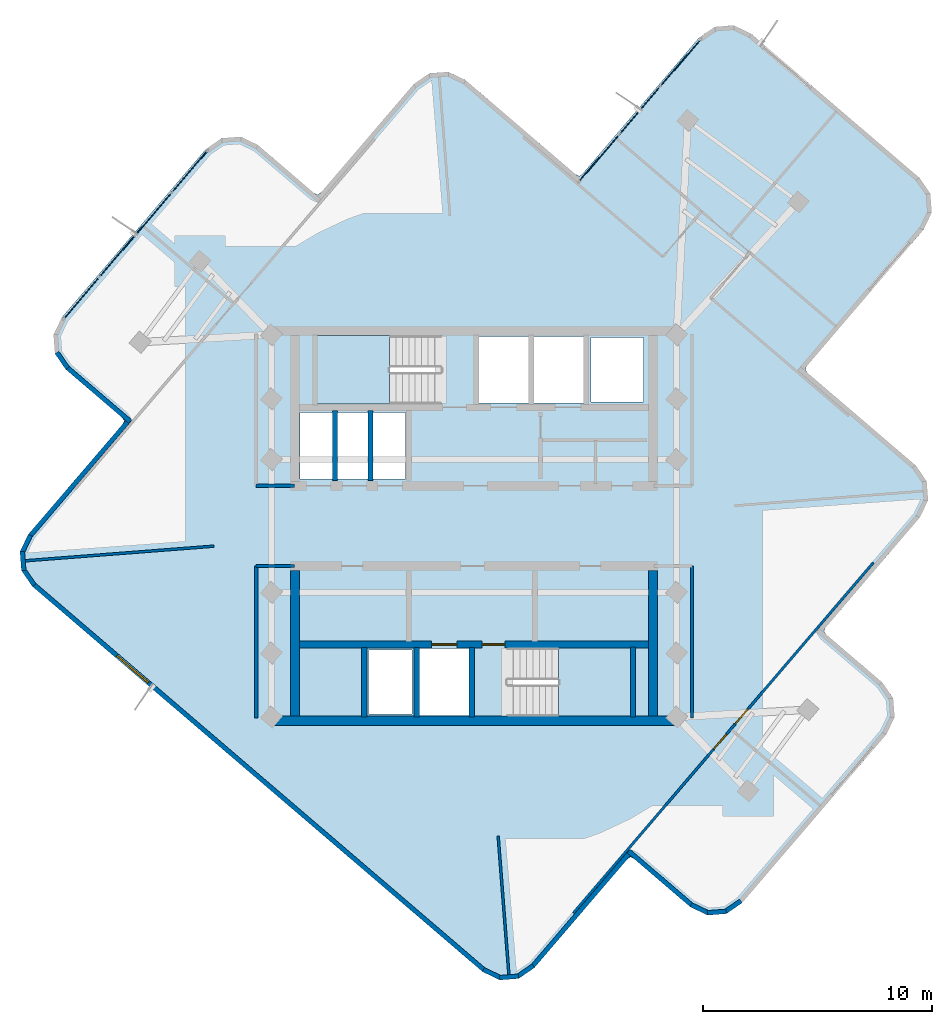
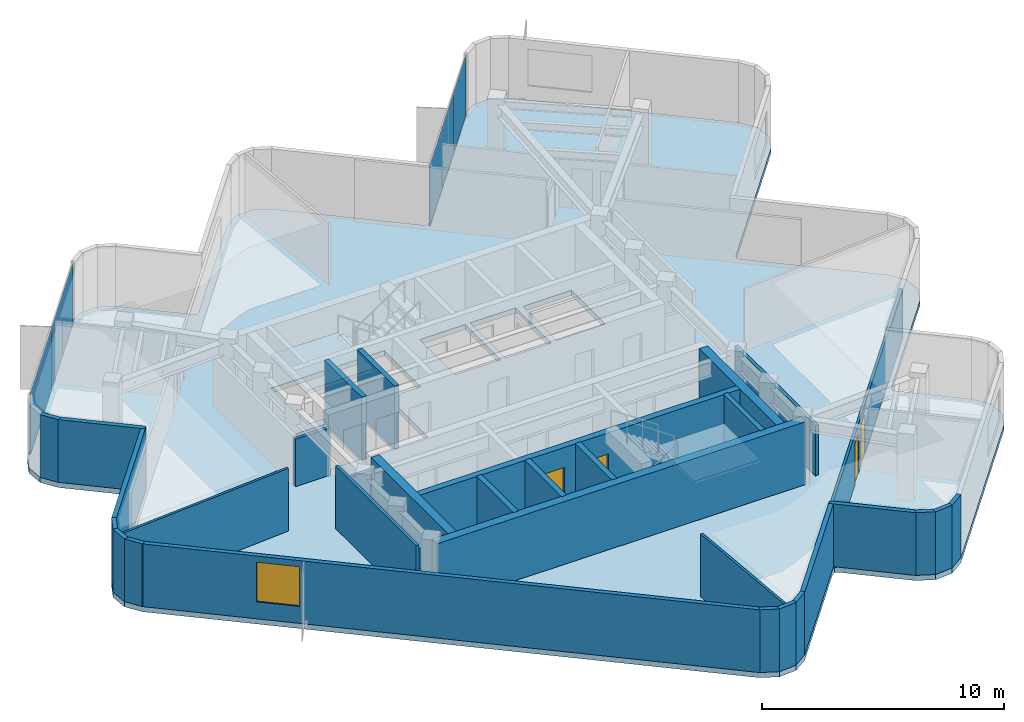
# One storey, part 5 of 10: 32 walls, 7 plates, 4 doors, 3 slabs, 1 window, 5 openings, 4 elements without a shape of their own.
"""IFC4 building model written with IfcOpenShell, lengths in metres."""

from ifc_helpers import new_model, si_unit, direction, frame, frame_2d, origin, origin_2d, place, context, subcontext, project, spatial, polyline, rectangle, outline, extrude, material, layer, layer_set, type_object, element, fill, aggregate, save


model = new_model("IFC4")

# Units and contexts
model_context = context("Model", 3, precision=1e-05, world=origin(), true_north=direction((0.0, 1.0)))
body_context = subcontext(model_context, "Body", "Model", "MODEL_VIEW")
ifc_project = project(units=[si_unit("LENGTHUNIT", "METRE"), si_unit("AREAUNIT", "SQUARE_METRE"), si_unit("VOLUMEUNIT", "CUBIC_METRE"), si_unit("PLANEANGLEUNIT", "RADIAN"), si_unit("MASSUNIT", "GRAM", prefix="KILO")], contexts=[model_context])

# Site, building, storey
site_placement = place(None, origin())
site = spatial("IfcSite", under=ifc_project, at=site_placement, CompositionType="ELEMENT")
building_placement = place(site_placement, origin())
building = spatial("IfcBuilding", under=site, at=building_placement, Name="Solmarez Civic Tower", CompositionType="ELEMENT")
storey_placement = place(building_placement, frame((0.0, 0.0, 254.340087890625)))
storey = spatial("IfcBuildingStorey", under=building, at=storey_placement, Name="L68", CompositionType="ELEMENT", Elevation=254.340087890625)

# Curtain wall, plates
ifc_material_1 = material(Name="Bronze Anodised Aluminium EN AW-6063 T6", Category="aluminium")
ifc_layer_1 = layer(ifc_material_1, 0.1650390625)
ifc_layer_set_1 = layer_set([ifc_layer_1], Name="Bronze Anodised Aluminium EN AW-6063 T6")
curtain_wall_type = type_object("IfcCurtainWallType", Name="CW-SYS-4", PredefinedType="NOTDEFINED", material=ifc_layer_set_1)
curtain_wall_1_placement = place(storey_placement, origin())
curtain_wall_1 = element("IfcCurtainWall", 1, at=curtain_wall_1_placement, inside=storey, type_object=curtain_wall_type, Name="L68 Stick-Built Curtain Wall 1", PredefinedType="NOTDEFINED")
ifc_material_2 = material(Name="Solar Control Low-E Laminated Vision Glass", Category="glass")
ifc_layer_2 = layer(ifc_material_2, 0.0400390625)
ifc_layer_set_2 = layer_set([ifc_layer_2], Name="Solar Control Low-E Laminated Vision Glass")
plate_type = type_object("IfcPlateType", Name="CWP-GLAZ-40", PredefinedType="CURTAIN_PANEL", material=ifc_layer_set_2)
plate_1_placement = place(storey_placement, frame((-17.14306640625, 9.958740234375, 0.06982421875), z_axis=(0.0, 0.0, 1.0), x_axis=(0.650215228402, 0.75975006203, 0.0)))
plate_1 = element("IfcPlate", 2, at=plate_1_placement, type_object=plate_type, Name="CWS4 panel 1.1", PredefinedType="CURTAIN_PANEL", context=body_context, shape_type="SweptSolid", body=[
    extrude(rectangle(XDim=2.3408203125, YDim=0.0400390625, at=origin_2d()), origin(), (0.0, 0.0, 1.0), 3.02001953125),
])
plate_2_placement = place(storey_placement, frame((-15.572265625, 11.794189453125, 0.06982421875), z_axis=(0.0, 0.0, 1.0), x_axis=(0.650215228402, 0.75975006203, 0.0)))
plate_2 = element("IfcPlate", 3, at=plate_2_placement, type_object=plate_type, Name="CWS4 panel 2.1", PredefinedType="CURTAIN_PANEL", context=body_context, shape_type="SweptSolid", body=[
    extrude(rectangle(XDim=2.370849609375, YDim=0.0400390625, at=origin_2d()), origin(), (0.0, 0.0, 1.0), 3.02001953125),
])
plate_3_placement = place(storey_placement, frame((-13.99169921875, 13.640869140625, 0.06982421875), z_axis=(0.0, 0.0, 1.0), x_axis=(0.650215228402, 0.75975006203, 0.0)))
plate_3 = element("IfcPlate", 4, at=plate_3_placement, type_object=plate_type, Name="CWS4 panel 3.1", PredefinedType="CURTAIN_PANEL", context=body_context, shape_type="SweptSolid", body=[
    extrude(rectangle(XDim=2.370849609375, YDim=0.0400390625, at=origin_2d()), origin(), (0.0, 0.0, 1.0), 3.02001953125),
])
plate_4_placement = place(storey_placement, frame((-12.4208984375, 15.476318359375, 0.06982421875), z_axis=(0.0, 0.0, 1.0), x_axis=(0.650215228402, 0.75975006203, 0.0)))
plate_4 = element("IfcPlate", 5, at=plate_4_placement, type_object=plate_type, Name="CWS4 panel 4.1", PredefinedType="CURTAIN_PANEL", context=body_context, shape_type="SweptSolid", body=[
    extrude(rectangle(XDim=2.3408203125, YDim=0.0400390625, at=origin_2d()), origin(), (0.0, 0.0, 1.0), 3.02001953125),
])
aggregate(curtain_wall_1, [plate_1, plate_2, plate_3, plate_4])

curtain_wall_2_placement = place(storey_placement, origin())
curtain_wall_2 = element("IfcCurtainWall", 6, at=curtain_wall_2_placement, inside=storey, type_object=curtain_wall_type, Name="L68 Stick-Built Curtain Wall 2", PredefinedType="NOTDEFINED")
plate_5_placement = place(storey_placement, frame((5.4609375, 16.06884765625, 0.06982421875), z_axis=(0.0, 0.0, 1.0), x_axis=(0.650261601282, 0.759710372378, 0.0)))
plate_5 = element("IfcPlate", 7, at=plate_5_placement, type_object=plate_type, Name="CWS4 panel 1.1", PredefinedType="CURTAIN_PANEL", context=body_context, shape_type="SweptSolid", body=[
    extrude(rectangle(XDim=2.656982421875, YDim=0.0400390625, at=origin_2d()), origin(), (0.0, 0.0, 1.0), 3.02001953125),
])
plate_6_placement = place(storey_placement, frame((7.237548828125, 18.14453125, 0.06982421875), z_axis=(0.0, 0.0, 1.0), x_axis=(0.650261601282, 0.759710372378, 0.0)))
plate_6 = element("IfcPlate", 8, at=plate_6_placement, type_object=plate_type, Name="CWS4 panel 2.1", PredefinedType="CURTAIN_PANEL", context=body_context, shape_type="SweptSolid", body=[
    extrude(rectangle(XDim=2.68701171875, YDim=0.0400390625, at=origin_2d()), origin(), (0.0, 0.0, 1.0), 3.02001953125),
])
plate_7_placement = place(storey_placement, frame((9.01416015625, 20.22021484375, 0.06982421875), z_axis=(0.0, 0.0, 1.0), x_axis=(0.650261601282, 0.759710372378, 0.0)))
plate_7 = element("IfcPlate", 9, at=plate_7_placement, type_object=plate_type, Name="CWS4 panel 3.1", PredefinedType="CURTAIN_PANEL", context=body_context, shape_type="SweptSolid", body=[
    extrude(rectangle(XDim=2.656982421875, YDim=0.0400390625, at=origin_2d()), origin(), (0.0, 0.0, 1.0), 3.02001953125),
])
aggregate(curtain_wall_2, [plate_5, plate_6, plate_7])

# Stair, slab
ifc_material_3 = material(Name="Concrete C50/60", Category="concrete")
stair_type = type_object("IfcStairType", Name="STAIR-DOGLEG-140W-18R-1900", PredefinedType="HALF_TURN_STAIR", material=ifc_material_3)
stair_1_placement = place(storey_placement, origin())
stair_1 = element("IfcStair", 10, at=stair_1_placement, inside=storey, type_object=stair_type, Name="L68 North Core Protected Exit Stair ST-1", PredefinedType="HALF_TURN_STAIR")
ifc_layer_3 = layer(ifc_material_3, 0.199951171875)
ifc_layer_set_3 = layer_set([ifc_layer_3], Name="Concrete C50/60")
slab_type_1 = type_object("IfcSlabType", Name="SLAB-LANDING-200", PredefinedType="LANDING", material=ifc_layer_set_3)
slab_1_placement = place(storey_placement, frame((0.0, 0.0, 1.510009765625)))
slab_1 = element("IfcSlab", 11, at=slab_1_placement, type_object=slab_type_1, Name="ST-1 landing 1", PredefinedType="LANDING", context=body_context, shape_type="SweptSolid", body=[
    extrude(outline(polyline([(-3.68994140625, 8.320068359375), (-6.85009765625, 8.320068359375), (-6.85009765625, 5.320068359375), (-3.68994140625, 5.320068359375), (-3.68994140625, 8.320068359375)])), origin(), (0.0, 0.0, 1.0), 0.199951171875),
])
aggregate(stair_1, [slab_1])

stair_2_placement = place(storey_placement, origin())
stair_2 = element("IfcStair", 12, at=stair_2_placement, inside=storey, type_object=stair_type, Name="L68 South Core Protected Exit Stair ST-2", PredefinedType="HALF_TURN_STAIR")
slab_2_placement = place(storey_placement, frame((0.0, 0.0, 1.510009765625)))
slab_2 = element("IfcSlab", 13, at=slab_2_placement, type_object=slab_type_1, Name="ST-2 landing 1", PredefinedType="LANDING", context=body_context, shape_type="SweptSolid", body=[
    extrude(outline(polyline([(3.68994140625, -8.320068359375), (6.85009765625, -8.320068359375), (6.85009765625, -5.320068359375), (3.68994140625, -5.320068359375), (3.68994140625, -8.320068359375)])), origin(), (0.0, 0.0, 1.0), 0.199951171875),
])
aggregate(stair_2, [slab_2])

# Slab
ifc_layer_4 = layer(ifc_material_3, 0.260009765625)
ifc_layer_set_4 = layer_set([ifc_layer_4], Name="Concrete C50/60")
slab_type_2 = type_object("IfcSlabType", Name="SLAB-TOWER-260", PredefinedType="FLOOR", material=ifc_layer_set_4)
slab_3_placement = place(storey_placement, frame((0.0, 0.0, -0.260009765625)))
element("IfcSlab", 14, at=slab_3_placement, inside=storey, type_object=slab_type_2, Name="L68 Structural Slab", PredefinedType="FLOOR", context=body_context, shape_type="SweptSolid", body=[
    extrude(outline(polyline([(6.987060546875, -14.535888671875), (9.447998046875, -16.64306640625), (10.196044921875, -17.0), (11.02099609375, -16.93603515625), (11.7041015625, -16.467041015625), (18.011962890625, -9.097900390625), (18.368896484375, -8.35107421875), (18.304931640625, -7.52490234375), (17.8369140625, -6.842041015625), (15.3759765625, -4.736083984375), (15.278076171875, -4.593994140625), (15.35302734375, -4.43896484375), (19.47509765625, 0.376953125), (19.83203125, 1.125), (19.76806640625, 1.949951171875), (19.299072265625, 2.633056640625), (14.55908203125, 6.68994140625), (14.4619140625, 6.83203125), (14.535888671875, 6.987060546875), (19.634033203125, 12.943115234375), (19.990966796875, 13.68994140625), (19.927001953125, 14.51611328125), (19.458984375, 15.198974609375), (12.089111328125, 21.507080078125), (11.342041015625, 21.864013671875), (10.51611328125, 21.800048828125), (9.8330078125, 21.3310546875), (4.736083984375, 15.3759765625), (4.593994140625, 15.278076171875), (4.43896484375, 15.35302734375), (-0.376953125, 19.47509765625), (-1.125, 19.83203125), (-1.949951171875, 19.76806640625), (-2.633056640625, 19.299072265625), (-6.68994140625, 14.55908203125), (-6.83203125, 14.4619140625), (-6.987060546875, 14.535888671875), (-9.447998046875, 16.64306640625), (-10.196044921875, 17.0), (-11.02099609375, 16.93603515625), (-11.7041015625, 16.467041015625), (-18.011962890625, 9.097900390625), (-18.368896484375, 8.35107421875), (-18.304931640625, 7.52490234375), (-17.8369140625, 6.842041015625), (-15.3759765625, 4.736083984375), (-15.278076171875, 4.593994140625), (-15.35302734375, 4.43896484375), (-19.47509765625, -0.376953125), (-19.83203125, -1.125), (-19.76806640625, -1.949951171875), (-19.299072265625, -2.633056640625), (0.376953125, -19.47509765625), (1.125, -19.83203125), (1.949951171875, -19.76806640625), (2.633056640625, -19.299072265625), (6.68994140625, -14.55908203125), (6.83203125, -14.4619140625), (6.987060546875, -14.535888671875)]), holes=[polyline([(-1.449951171875, 8.320068359375), (-6.85009765625, 8.320068359375), (-6.85009765625, 5.320068359375), (-1.449951171875, 5.320068359375), (-1.449951171875, 8.320068359375)]), polyline([(1.449951171875, -8.320068359375), (6.85009765625, -8.320068359375), (6.85009765625, -5.320068359375), (1.449951171875, -5.320068359375), (1.449951171875, -8.320068359375)]), polyline([(0.219970703125, 5.360107421875), (2.3798828125, 5.360107421875), (2.3798828125, 8.280029296875), (0.219970703125, 8.280029296875), (0.219970703125, 5.360107421875)]), polyline([(2.6201171875, 5.360107421875), (4.780029296875, 5.360107421875), (4.780029296875, 8.280029296875), (2.6201171875, 8.280029296875), (2.6201171875, 5.360107421875)]), polyline([(-2.3798828125, -8.280029296875), (-0.219970703125, -8.280029296875), (-0.219970703125, -5.360107421875), (-2.3798828125, -5.360107421875), (-2.3798828125, -8.280029296875)]), polyline([(-7.60009765625, 2.06005859375), (-6.1201171875, 2.06005859375), (-6.1201171875, 4.9599609375), (-7.60009765625, 4.9599609375), (-7.60009765625, 2.06005859375)]), polyline([(-6.0400390625, 2.06005859375), (-4.56005859375, 2.06005859375), (-4.56005859375, 4.9599609375), (-6.0400390625, 4.9599609375), (-6.0400390625, 2.06005859375)]), polyline([(-4.47998046875, 2.06005859375), (-3.0, 2.06005859375), (-3.0, 4.9599609375), (-4.47998046875, 4.9599609375), (-4.47998046875, 2.06005859375)]), polyline([(5.10009765625, 5.419921875), (7.39990234375, 5.419921875), (7.39990234375, 8.219970703125), (5.10009765625, 8.219970703125), (5.10009765625, 5.419921875)]), polyline([(-4.60009765625, -8.219970703125), (-2.699951171875, -8.219970703125), (-2.699951171875, -5.419921875), (-4.60009765625, -5.419921875), (-4.60009765625, -8.219970703125)])]), origin(), (0.0, 0.0, 1.0), 0.260009765625),
])

# Walls
ifc_layer_5 = layer(ifc_material_3, 0.39990234375)
ifc_layer_set_5 = layer_set([ifc_layer_5], Name="Concrete C50/60")
wall_type_1 = type_object("IfcWallType", Name="WALL-CORE-400", PredefinedType="SHEAR", material=ifc_layer_set_5)
wall_1_placement = place(storey_placement, frame((8.780029296875, -8.510009765625, 0.0), z_axis=(0.0, 0.0, 1.0), x_axis=(-1.0, 0.0, 0.0)))
element("IfcWall", 15, at=wall_1_placement, inside=storey, type_object=wall_type_1, Name="L68 Split-Core Structural Wall SCW-S-L68", PredefinedType="SHEAR", context=body_context, shape_type="SweptSolid", body=[
    extrude(rectangle(XDim=17.56005859375, YDim=0.39990234375, at=frame_2d((8.780029296875, 0.0))), origin(), (0.0, 0.0, 1.0), 3.159912109375),
])
for number, where, z_axis, x_axis, name in (
    (16, (-7.820068359375, -8.31005859375, 0.0), (0.0, 0.0, 1.0), (0.0, 1.0, 0.0), "L68 Split-Core Structural Wall SCW-W-L68"),
    (17, (7.820068359375, -1.949951171875, 0.0), (0.0, 0.0, 1.0), (0.0, -1.0, 0.0), "L68 Split-Core Structural Wall SCW-E-L68"),
):
    element("IfcWall", number, at=place(storey_placement, frame(where, z_axis=z_axis, x_axis=x_axis)), inside=storey, type_object=wall_type_1, Name=name, PredefinedType="SHEAR", context=body_context, shape_type="SweptSolid", body=[
        extrude(rectangle(XDim=6.360107421875, YDim=0.39990234375, at=frame_2d((3.18017578125, 0.0))), origin(), (0.0, 0.0, 1.0), 3.159912109375),
    ])
ifc_material_4 = material(Name="Precast concrete C40/50", Category="concrete")
ifc_layer_6 = layer(ifc_material_4, 0.199951171875)
ifc_layer_set_6 = layer_set([ifc_layer_6], Name="Precast concrete C40/50")
wall_type_2 = type_object("IfcWallType", Name="WALL-EXT-200", PredefinedType="SOLIDWALL", material=ifc_layer_set_6)
wall_2_placement = place(storey_placement, frame((6.867919921875, -14.197998046875, 0.0), z_axis=(0.0, 0.0, 1.0), x_axis=(-0.650240147413, -0.759728734939, 0.0)))
element("IfcWall", 18, at=wall_2_placement, inside=storey, type_object=wall_type_2, Name="L68 Exterior Precast Wall 2", PredefinedType="SOLIDWALL", context=body_context, shape_type="SweptSolid", body=[
    extrude(rectangle(XDim=6.640380859375, YDim=0.199951171875, at=frame_2d((3.3203125, 0.0))), origin(), (0.0, 0.0, 1.0), 3.159912109375),
])
wall_3_placement = place(storey_placement, frame((2.5869140625, -19.2099609375, 0.0), z_axis=(0.0, 0.0, 1.0), x_axis=(-0.824907237821, -0.565268121329, 0.0)))
element("IfcWall", 19, at=wall_3_placement, inside=storey, type_object=wall_type_2, Name="L68 Exterior Precast Wall 3", PredefinedType="SOLIDWALL", context=body_context, shape_type="SweptSolid", body=[
    extrude(rectangle(XDim=0.8388671875, YDim=0.199951171875, at=frame_2d((0.41943359375, 0.0))), origin(), (0.0, 0.0, 1.0), 3.159912109375),
])
wall_4_placement = place(storey_placement, frame((1.94091796875, -19.66796875, 0.0), z_axis=(0.0, 0.0, 1.0), x_axis=(-0.996986164412, -0.077579558977, 0.0)))
element("IfcWall", 20, at=wall_4_placement, inside=storey, type_object=wall_type_2, Name="L68 Exterior Precast Wall 4", PredefinedType="SOLIDWALL", context=body_context, shape_type="SweptSolid", body=[
    extrude(rectangle(XDim=0.824462890625, YDim=0.199951171875, at=frame_2d((0.412109375, 0.0))), origin(), (0.0, 0.0, 1.0), 3.159912109375),
])
wall_5_placement = place(storey_placement, frame((1.1669921875, -19.740966796875, 0.0), z_axis=(0.0, 0.0, 1.0), x_axis=(-0.902360330408, 0.430982405796, 0.0)))
element("IfcWall", 21, at=wall_5_placement, inside=storey, type_object=wall_type_2, Name="L68 Exterior Precast Wall 5", PredefinedType="SOLIDWALL", context=body_context, shape_type="SweptSolid", body=[
    extrude(rectangle(XDim=0.840087890625, YDim=0.199951171875, at=frame_2d((0.419921875, 0.0))), origin(), (0.0, 0.0, 1.0), 3.159912109375),
])

# Wall, opening, window
wall_6_placement = place(storey_placement, frame((0.450927734375, -19.406005859375, 0.0), z_axis=(0.0, 0.0, 1.0), x_axis=(-0.759723103319, 0.650246727238, 0.0)))
wall_6 = element("IfcWall", 22, at=wall_6_placement, inside=storey, type_object=wall_type_2, Name="L68 Exterior Precast Wall 6", PredefinedType="SOLIDWALL", context=body_context, shape_type="SweptSolid", body=[
    extrude(rectangle(XDim=25.92236328125, YDim=0.199951171875, at=frame_2d((12.961181640625, 0.0))), origin(), (0.0, 0.0, 1.0), 3.159912109375),
])
opening_1_placement = place(wall_6_placement, frame((19.320068359375, 0.0, 0.85009765625)))
opening_1 = element("IfcOpeningElement", 23, at=opening_1_placement, cuts=wall_6, Name="Opening W-04", PredefinedType="OPENING", context=body_context, shape_type="SweptSolid", body=[
    extrude(rectangle(XDim=1.800048828125, YDim=2.0, at=frame_2d((0.89990234375, 1.0))), frame((0.0, 0.10986328125, 0.0), z_axis=(0.0, -1.0, 0.0), x_axis=(1.0, 0.0, 0.0)), (0.0, 0.0, 1.0), 0.219970703125),
])
ifc_material_5 = material(Name="Solar Control Bronze-Tinted Insulating Glass", Category="glass")
window_type = type_object("IfcWindowType", Name="WIN-1800X2000", PartitioningType="SINGLE_PANEL", PredefinedType="WINDOW", material=ifc_material_5)
window_placement = place(opening_1_placement, origin())
window = element("IfcWindow", 24, at=window_placement, inside=storey, type_object=window_type, Name="L68 Exterior Facade Window 6", OverallHeight=2.0, OverallWidth=1.800048828125, PartitioningType="SINGLE_PANEL", PredefinedType="WINDOW", context=body_context, shape_type="SweptSolid", body=[
    extrude(rectangle(XDim=1.800048828125, YDim=2.0, at=frame_2d((0.89990234375, 1.0))), frame((0.0, 0.030029296875, 0.0), z_axis=(0.0, -1.0, 0.0), x_axis=(1.0, 0.0, 0.0)), (0.0, 0.0, 1.0), 0.06005859375),
])
fill(opening_1, window)

# Walls
wall_7_placement = place(storey_placement, frame((-19.2099609375, -2.5869140625, 0.0), z_axis=(0.0, 0.0, 1.0), x_axis=(-0.565268121329, 0.824907237821, 0.0)))
element("IfcWall", 25, at=wall_7_placement, inside=storey, type_object=wall_type_2, Name="L68 Exterior Precast Wall 7", PredefinedType="SOLIDWALL", context=body_context, shape_type="SweptSolid", body=[
    extrude(rectangle(XDim=0.8388671875, YDim=0.199951171875, at=frame_2d((0.41943359375, 0.0))), origin(), (0.0, 0.0, 1.0), 3.159912109375),
])
wall_8_placement = place(storey_placement, frame((-19.66796875, -1.94091796875, 0.0), z_axis=(0.0, 0.0, 1.0), x_axis=(-0.077579558977, 0.996986164412, 0.0)))
element("IfcWall", 26, at=wall_8_placement, inside=storey, type_object=wall_type_2, Name="L68 Exterior Precast Wall 8", PredefinedType="SOLIDWALL", context=body_context, shape_type="SweptSolid", body=[
    extrude(rectangle(XDim=0.824462890625, YDim=0.199951171875, at=frame_2d((0.412109375, 0.0))), origin(), (0.0, 0.0, 1.0), 3.159912109375),
])
wall_9_placement = place(storey_placement, frame((-19.740966796875, -1.1669921875, 0.0), z_axis=(0.0, 0.0, 1.0), x_axis=(0.430982405796, 0.902360330408, 0.0)))
element("IfcWall", 27, at=wall_9_placement, inside=storey, type_object=wall_type_2, Name="L68 Exterior Precast Wall 9", PredefinedType="SOLIDWALL", context=body_context, shape_type="SweptSolid", body=[
    extrude(rectangle(XDim=0.840087890625, YDim=0.199951171875, at=frame_2d((0.419921875, 0.0))), origin(), (0.0, 0.0, 1.0), 3.159912109375),
])
wall_10_placement = place(storey_placement, frame((-19.406005859375, -0.450927734375, 0.0), z_axis=(0.0, 0.0, 1.0), x_axis=(0.650185720357, 0.759775314842, 0.0)))
element("IfcWall", 28, at=wall_10_placement, inside=storey, type_object=wall_type_2, Name="L68 Exterior Precast Wall 10", PredefinedType="SOLIDWALL", context=body_context, shape_type="SweptSolid", body=[
    extrude(rectangle(XDim=6.7412109375, YDim=0.199951171875, at=frame_2d((3.37060546875, 0.0))), origin(), (0.0, 0.0, 1.0), 3.159912109375),
])
wall_11_placement = place(storey_placement, frame((-15.013916015625, 4.55810546875, 0.0), z_axis=(0.0, 0.0, 1.0), x_axis=(-0.759781598798, 0.650178377161, 0.0)))
element("IfcWall", 29, at=wall_11_placement, inside=storey, type_object=wall_type_2, Name="L68 Exterior Precast Wall 13", PredefinedType="SOLIDWALL", context=body_context, shape_type="SweptSolid", body=[
    extrude(rectangle(XDim=3.641845703125, YDim=0.199951171875, at=frame_2d((1.82080078125, 0.0))), origin(), (0.0, 0.0, 1.0), 3.159912109375),
])
wall_12_placement = place(storey_placement, frame((-17.748046875, 6.888916015625, 0.0), z_axis=(0.0, 0.0, 1.0), x_axis=(-0.564140869434, 0.825678556967, 0.0)))
element("IfcWall", 30, at=wall_12_placement, inside=storey, type_object=wall_type_2, Name="L68 Exterior Precast Wall 14", PredefinedType="SOLIDWALL", context=body_context, shape_type="SweptSolid", body=[
    extrude(rectangle(XDim=0.83837890625, YDim=0.199951171875, at=frame_2d((0.419189453125, 0.0))), origin(), (0.0, 0.0, 1.0), 3.159912109375),
])
wall_13_placement = place(storey_placement, frame((11.657958984375, -16.3779296875, 0.0), z_axis=(0.0, 0.0, 1.0), x_axis=(-0.824907237821, -0.565268121329, 0.0)))
element("IfcWall", 31, at=wall_13_placement, inside=storey, type_object=wall_type_2, Name="L68 Exterior Precast Wall 54", PredefinedType="SOLIDWALL", context=body_context, shape_type="SweptSolid", body=[
    extrude(rectangle(XDim=0.8388671875, YDim=0.199951171875, at=frame_2d((0.41943359375, 0.0))), origin(), (0.0, 0.0, 1.0), 3.159912109375),
])
wall_14_placement = place(storey_placement, frame((11.011962890625, -16.8359375, 0.0), z_axis=(0.0, 0.0, 1.0), x_axis=(-0.996986164412, -0.077579558977, 0.0)))
element("IfcWall", 32, at=wall_14_placement, inside=storey, type_object=wall_type_2, Name="L68 Exterior Precast Wall 55", PredefinedType="SOLIDWALL", context=body_context, shape_type="SweptSolid", body=[
    extrude(rectangle(XDim=0.824462890625, YDim=0.199951171875, at=frame_2d((0.412109375, 0.0))), origin(), (0.0, 0.0, 1.0), 3.159912109375),
])
wall_15_placement = place(storey_placement, frame((10.238037109375, -16.908935546875, 0.0), z_axis=(0.0, 0.0, 1.0), x_axis=(-0.902473334209, 0.430745726666, 0.0)))
element("IfcWall", 33, at=wall_15_placement, inside=storey, type_object=wall_type_2, Name="L68 Exterior Precast Wall 56", PredefinedType="SOLIDWALL", context=body_context, shape_type="SweptSolid", body=[
    extrude(rectangle(XDim=0.840087890625, YDim=0.199951171875, at=frame_2d((0.419921875, 0.0))), origin(), (0.0, 0.0, 1.0), 3.159912109375),
])
wall_16_placement = place(storey_placement, frame((9.52197265625, -16.573974609375, 0.0), z_axis=(0.0, 0.0, 1.0), x_axis=(-0.759914066759, 0.650023546606, 0.0)))
element("IfcWall", 34, at=wall_16_placement, inside=storey, type_object=wall_type_2, Name="L68 Exterior Precast Wall 57", PredefinedType="SOLIDWALL", context=body_context, shape_type="SweptSolid", body=[
    extrude(rectangle(XDim=3.641357421875, YDim=0.199951171875, at=frame_2d((1.82080078125, 0.0))), origin(), (0.0, 0.0, 1.0), 3.159912109375),
])
ifc_material_6 = material(Name="Gypsum Board Acoustic Steel-Stud Partition", Category="steel")
ifc_layer_7 = layer(ifc_material_6, 0.14990234375)
ifc_layer_set_7 = layer_set([ifc_layer_7], Name="Gypsum Board Acoustic Steel-Stud Partition")
wall_type_3 = type_object("IfcWallType", Name="WALL-INT-FIRE-150", PredefinedType="PARTITIONING", material=ifc_layer_set_7)
wall_17_placement = place(storey_placement, frame((-7.85009765625, 1.75, 0.0), z_axis=(0.0, 0.0, 1.0), x_axis=(-1.0, 0.0, 0.0)))
element("IfcWall", 35, at=wall_17_placement, inside=storey, type_object=wall_type_3, Name="L68 Interior Partition CHW-L68-WN3", PredefinedType="PARTITIONING", context=body_context, shape_type="SweptSolid", body=[
    extrude(rectangle(XDim=1.669921875, YDim=0.14990234375, at=frame_2d((0.8349609375, 0.0))), origin(), (0.0, 0.0, 1.0), 2.389892578125),
])
wall_18_placement = place(storey_placement, frame((-9.52001953125, -8.3798828125, 0.0), z_axis=(0.0, 0.0, 1.0), x_axis=(0.0, 1.0, 0.0)))
element("IfcWall", 36, at=wall_18_placement, inside=storey, type_object=wall_type_3, Name="L68 Interior Partition CHW-L68-WS1", PredefinedType="PARTITIONING", context=body_context, shape_type="SweptSolid", body=[
    extrude(rectangle(XDim=6.6298828125, YDim=0.14990234375, at=frame_2d((3.31494140625, 0.0))), origin(), (0.0, 0.0, 1.0), 3.159912109375),
])
wall_19_placement = place(storey_placement, frame((-7.85009765625, -1.75, 0.0), z_axis=(0.0, 0.0, 1.0), x_axis=(-1.0, 0.0, 0.0)))
element("IfcWall", 37, at=wall_19_placement, inside=storey, type_object=wall_type_3, Name="L68 Interior Partition CHW-L68-WS3", PredefinedType="PARTITIONING", context=body_context, shape_type="SweptSolid", body=[
    extrude(rectangle(XDim=1.669921875, YDim=0.14990234375, at=frame_2d((0.8349609375, 0.0))), origin(), (0.0, 0.0, 1.0), 2.389892578125),
])
wall_20_placement = place(storey_placement, frame((9.52001953125, -8.3798828125, 0.0), z_axis=(0.0, 0.0, 1.0), x_axis=(0.0, 1.0, 0.0)))
element("IfcWall", 38, at=wall_20_placement, inside=storey, type_object=wall_type_3, Name="L68 Interior Partition CHW-L68-ES1", PredefinedType="PARTITIONING", context=body_context, shape_type="SweptSolid", body=[
    extrude(rectangle(XDim=6.6298828125, YDim=0.14990234375, at=frame_2d((3.31494140625, 0.0))), origin(), (0.0, 0.0, 1.0), 2.530029296875),
])
ifc_layer_8 = layer(ifc_material_6, 0.110107421875)
ifc_layer_set_8 = layer_set([ifc_layer_8], Name="Gypsum Board Acoustic Steel-Stud Partition")
wall_type_4 = type_object("IfcWallType", Name="WALL-INT-PART-110", PredefinedType="PARTITIONING", material=ifc_layer_set_8)
wall_21_placement = place(storey_placement, frame((-11.365966796875, -0.883056640625, 0.0), z_axis=(0.0, 0.0, 1.0), x_axis=(-0.997001087863, -0.077387536463, 0.0)))
element("IfcWall", 39, at=wall_21_placement, inside=storey, type_object=wall_type_4, Name="L68 Interior Partition PT-L68-QDIV-2", PredefinedType="PARTITIONING", context=body_context, shape_type="SweptSolid", body=[
    extrude(rectangle(XDim=8.2939453125, YDim=0.110107421875, at=frame_2d((4.14697265625, 0.0))), origin(), (0.0, 0.0, 1.0), 3.159912109375),
])
wall_22_placement = place(storey_placement, frame((1.052001953125, -13.5400390625, 0.0), z_axis=(0.0, 0.0, 1.0), x_axis=(0.077356131702, -0.997003525013, 0.0)))
element("IfcWall", 40, at=wall_22_placement, inside=storey, type_object=wall_type_4, Name="L68 Interior Partition PT-L68-QDIV-3", PredefinedType="PARTITIONING", context=body_context, shape_type="SweptSolid", body=[
    extrude(rectangle(XDim=6.11328125, YDim=0.110107421875, at=frame_2d((3.056640625, 0.0))), origin(), (0.0, 0.0, 1.0), 3.159912109375),
])

# Wall, openings, doors
wall_23_placement = place(storey_placement, frame((17.43701171875, -1.60400390625, 0.0), z_axis=(0.0, 0.0, 1.0), x_axis=(-0.650265099033, -0.759707378522, 0.0)))
wall_23 = element("IfcWall", 41, at=wall_23_placement, inside=storey, type_object=wall_type_4, Name="L68 Interior Partition PT-L68-S-ENT", PredefinedType="PARTITIONING", context=body_context, shape_type="SweptSolid", body=[
    extrude(rectangle(XDim=20.139404296875, YDim=0.110107421875, at=frame_2d((10.06982421875, 0.0))), origin(), (0.0, 0.0, 1.0), 2.530029296875),
])
opening_2_placement = place(wall_23_placement, frame((9.85888671875, 0.0, 0.0)))
opening_2 = element("IfcOpeningElement", 42, at=opening_2_placement, cuts=wall_23, Name="Opening D-14", PredefinedType="OPENING", context=body_context, shape_type="SweptSolid", body=[
    extrude(rectangle(XDim=0.860107421875, YDim=2.0400390625, at=frame_2d((0.43017578125, 1.02001953125))), frame((0.0, 0.06494140625, 0.0), z_axis=(0.0, -1.0, 0.0), x_axis=(1.0, 0.0, 0.0)), (0.0, 0.0, 1.0), 0.130126953125),
])
opening_3_placement = place(wall_23_placement, frame((8.4189453125, 0.0, 0.0)))
opening_3 = element("IfcOpeningElement", 43, at=opening_3_placement, cuts=wall_23, Name="Opening D-14", PredefinedType="OPENING", context=body_context, shape_type="SweptSolid", body=[
    extrude(rectangle(XDim=0.860107421875, YDim=2.0400390625, at=frame_2d((0.43017578125, 1.02001953125))), frame((0.0, 0.06494140625, 0.0), z_axis=(0.0, -1.0, 0.0), x_axis=(1.0, 0.0, 0.0)), (0.0, 0.0, 1.0), 0.130126953125),
])
ifc_material_7 = material(Name="Timber Storage and Pantry Door", Category="wood")
door_type_1 = type_object("IfcDoorType", Name="DOOR-INT-850", OperationType="NOTDEFINED", PredefinedType="DOOR", material=ifc_material_7)
door_1_placement = place(opening_2_placement, origin())
door_1 = element("IfcDoor", 44, at=door_1_placement, inside=storey, type_object=door_type_1, Name="L68 Co-Working Policy Workspace Second South Door", OperationType="SINGLE_SWING_RIGHT", OverallHeight=2.0400390625, OverallWidth=0.860107421875, PredefinedType="DOOR", context=body_context, shape_type="SweptSolid", body=[
    extrude(rectangle(XDim=0.860107421875, YDim=2.0400390625, at=frame_2d((0.43017578125, 1.02001953125))), frame((0.0, 0.02490234375, 0.0), z_axis=(0.0, -1.0, 0.0), x_axis=(1.0, 0.0, 0.0)), (0.0, 0.0, 1.0), 0.050048828125),
])
fill(opening_2, door_1)
door_2_placement = place(opening_3_placement, origin())
door_2 = element("IfcDoor", 45, at=door_2_placement, inside=storey, type_object=door_type_1, Name="L68 Staff Tea Pantry First South Door", OperationType="SINGLE_SWING_LEFT", OverallHeight=2.0400390625, OverallWidth=0.860107421875, PredefinedType="DOOR", context=body_context, shape_type="SweptSolid", body=[
    extrude(rectangle(XDim=0.860107421875, YDim=2.0400390625, at=frame_2d((0.43017578125, 1.02001953125))), frame((0.0, 0.02490234375, 0.0), z_axis=(0.0, -1.0, 0.0), x_axis=(1.0, 0.0, 0.0)), (0.0, 0.0, 1.0), 0.050048828125),
])
fill(opening_3, door_2)

ifc_layer_9 = layer(ifc_material_3, 0.300048828125)
ifc_layer_set_9 = layer_set([ifc_layer_9], Name="Concrete C50/60")
wall_type_5 = type_object("IfcWallType", Name="WALL-STR-300", PredefinedType="SOLIDWALL", material=ifc_layer_set_9)
wall_24_placement = place(storey_placement, frame((-7.6201171875, -5.179931640625, 0.0), z_axis=(0.0, 0.0, 1.0), x_axis=(1.0, 0.0, 0.0)))
wall_24 = element("IfcWall", 46, at=wall_24_placement, inside=storey, type_object=wall_type_5, Name="L68 Split-Core Structural Wall SCW-M-L68", PredefinedType="SOLIDWALL", context=body_context, shape_type="SweptSolid", body=[
    extrude(rectangle(XDim=15.240234375, YDim=0.300048828125, at=frame_2d((7.6201171875, 0.0))), origin(), (0.0, 0.0, 1.0), 3.159912109375),
])
opening_4_placement = place(wall_24_placement, frame((5.77001953125, 0.0, 0.0)))
opening_4 = element("IfcOpeningElement", 47, at=opening_4_placement, cuts=wall_24, Name="Opening LD-02", PredefinedType="OPENING", context=body_context, shape_type="SweptSolid", body=[
    extrude(rectangle(XDim=1.10009765625, YDim=2.14990234375, at=frame_2d((0.550048828125, 1.074951171875))), frame((0.0, 0.159912109375, 0.0), z_axis=(0.0, -1.0, 0.0), x_axis=(1.0, 0.0, 0.0)), (0.0, 0.0, 1.0), 0.320068359375),
])
opening_5_placement = place(wall_24_placement, frame((7.969970703125, 0.0, 0.0)))
opening_5 = element("IfcOpeningElement", 48, at=opening_5_placement, cuts=wall_24, Name="Opening D-05", PredefinedType="OPENING", context=body_context, shape_type="SweptSolid", body=[
    extrude(rectangle(XDim=1.0, YDim=2.10009765625, at=frame_2d((0.5, 1.050048828125))), frame((0.0, 0.159912109375, 0.0), z_axis=(0.0, -1.0, 0.0), x_axis=(1.0, 0.0, 0.0)), (0.0, 0.0, 1.0), 0.320068359375),
])
ifc_material_8 = material(Name="Fire-Rated Stairwell Exit Door", Category="wood")
door_type_2 = type_object("IfcDoorType", Name="DOOR-FD90-1000", OperationType="NOTDEFINED", PredefinedType="DOOR", material=ifc_material_8)
door_3_placement = place(opening_5_placement, origin())
door_3 = element("IfcDoor", 49, at=door_3_placement, inside=storey, type_object=door_type_2, Name="L68 South Exit Stair Door ST-2", OperationType="SINGLE_SWING_RIGHT", OverallHeight=2.10009765625, OverallWidth=1.0, PredefinedType="DOOR", context=body_context, shape_type="SweptSolid", body=[
    extrude(rectangle(XDim=1.0, YDim=2.10009765625, at=frame_2d((0.5, 1.050048828125))), frame((0.0, 0.02490234375, 0.0), z_axis=(0.0, -1.0, 0.0), x_axis=(1.0, 0.0, 0.0)), (0.0, 0.0, 1.0), 0.050048828125),
])
fill(opening_5, door_3)
ifc_material_9 = material(Name="Stainless Firefighting Lift Landing Sliding Door", Category="aluminium")
door_type_3 = type_object("IfcDoorType", Name="DOOR-LD-FF-1100", OperationType="DOUBLE_DOOR_SLIDING", PredefinedType="DOOR", material=ifc_material_9)
door_4_placement = place(opening_4_placement, origin())
door_4 = element("IfcDoor", 50, at=door_4_placement, inside=storey, type_object=door_type_3, Name="L68 Firefighting Lift Landing Door FFL-2", OperationType="DOUBLE_DOOR_SLIDING", OverallHeight=2.14990234375, OverallWidth=1.10009765625, PredefinedType="DOOR", context=body_context, shape_type="SweptSolid", body=[
    extrude(rectangle(XDim=1.10009765625, YDim=2.14990234375, at=frame_2d((0.550048828125, 1.074951171875))), frame((0.0, 0.02490234375, 0.0), z_axis=(0.0, -1.0, 0.0), x_axis=(1.0, 0.0, 0.0)), (0.0, 0.0, 1.0), 0.050048828125),
])
fill(opening_4, door_4)

# Walls
wall_25_placement = place(storey_placement, frame((6.949951171875, -8.340087890625, 0.0), z_axis=(0.0, 0.0, 1.0), x_axis=(0.0, 1.0, 0.0)))
element("IfcWall", 51, at=wall_25_placement, inside=storey, type_object=wall_type_5, Name="L68 Split-Core Structural Wall SHW-SE-L68", PredefinedType="SOLIDWALL", context=body_context, shape_type="SweptSolid", body=[
    extrude(rectangle(XDim=3.06005859375, YDim=0.219970703125, at=frame_2d((1.530029296875, 0.0))), origin(), (0.0, 0.0, 1.0), 3.159912109375),
])
for number, where, z_axis, x_axis, name in (
    (52, (-0.10009765625, -8.340087890625, 0.0), (0.0, 0.0, 1.0), (0.0, 1.0, 0.0), "L68 Split-Core Structural Wall SHW-S1-L68"),
    (53, (-2.5, -8.340087890625, 0.0), (0.0, 0.0, 1.0), (0.0, 1.0, 0.0), "L68 Split-Core Structural Wall SHW-S2-L68"),
    (54, (-4.800048828125, -8.340087890625, 0.0), (0.0, 0.0, 1.0), (0.0, 1.0, 0.0), "L68 Split-Core Structural Wall SHW-S3-L68"),
):
    element("IfcWall", number, at=place(storey_placement, frame(where, z_axis=z_axis, x_axis=x_axis)), inside=storey, type_object=wall_type_5, Name=name, PredefinedType="SOLIDWALL", context=body_context, shape_type="SweptSolid", body=[
        extrude(rectangle(XDim=3.0400390625, YDim=0.25, at=frame_2d((1.52001953125, 0.0))), origin(), (0.0, 0.0, 1.0), 3.159912109375),
    ])
for number, where, z_axis, x_axis, name in (
    (55, (-6.080078125, 1.97998046875, 0.0), (0.0, 0.0, 1.0), (0.0, 1.0, 0.0), "L68 Split-Core Structural Wall SHW-PLH-L68-1"),
    (56, (-4.52001953125, 1.97998046875, 0.0), (0.0, 0.0, 1.0), (0.0, 1.0, 0.0), "L68 Split-Core Structural Wall SHW-PLH-L68-2"),
):
    element("IfcWall", number, at=place(storey_placement, frame(where, z_axis=z_axis, x_axis=x_axis)), inside=storey, type_object=wall_type_5, Name=name, PredefinedType="SOLIDWALL", context=body_context, shape_type="SweptSolid", body=[
        extrude(rectangle(XDim=3.070068359375, YDim=0.219970703125, at=frame_2d((1.53515625, 0.0))), origin(), (0.0, 0.0, 1.0), 3.159912109375),
    ])

save(model, "model.ifc")
